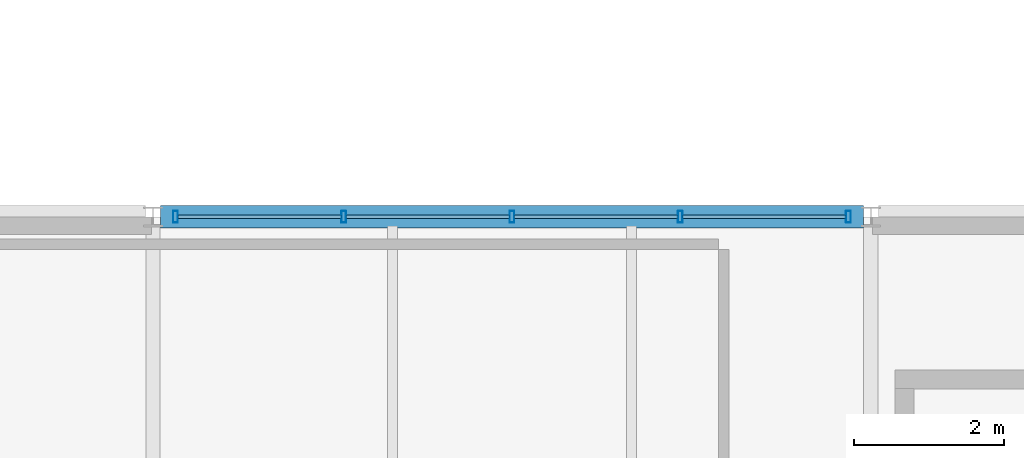
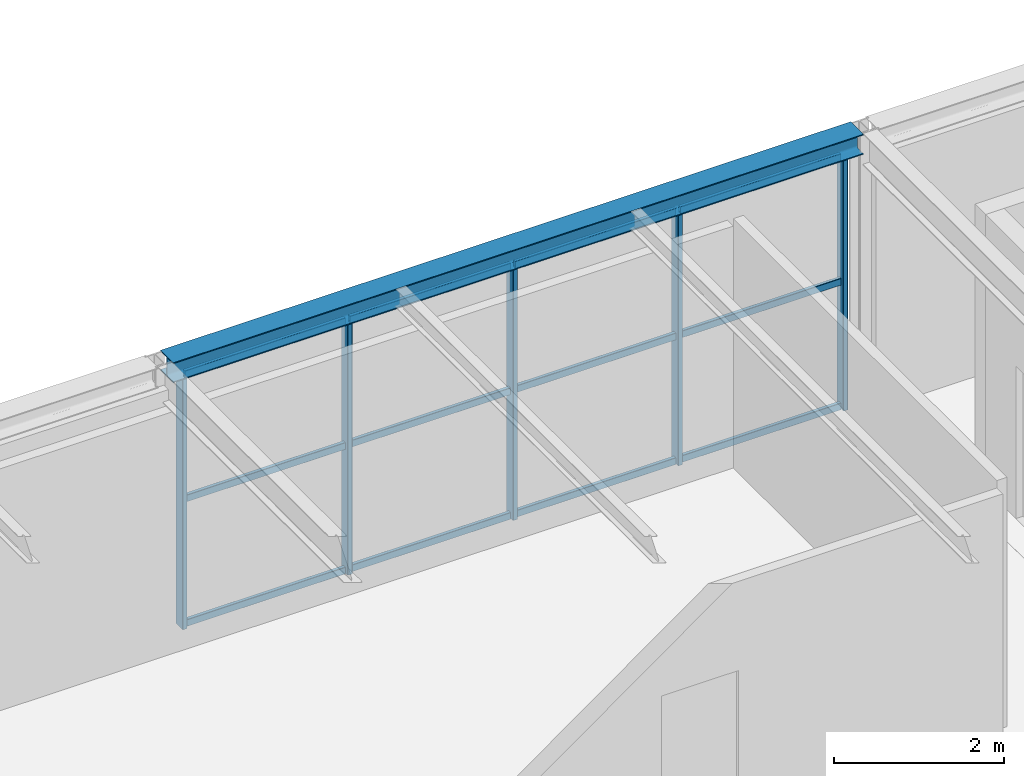
# One storey, part 25 of 39: 17 members, 1 beam, 1 element without a shape of its own.
"""IFC4 building model written with IfcOpenShell, lengths in metres."""

from ifc_helpers import new_model, si_unit, direction, frame, origin, origin_2d, place, context, subcontext, project, spatial, hollow_rectangle, i_section, extrude, material, material_profile, profile_set, type_object, element, aggregate, save


model = new_model("IFC4")

# Units and contexts
model_context = context("Model", 3, precision=1e-05, world=origin(), true_north=direction((0.0, 1.0)))
body_context = subcontext(model_context, "Body", "Model", "MODEL_VIEW")
ifc_project = project(units=[si_unit("LENGTHUNIT", "METRE"), si_unit("AREAUNIT", "SQUARE_METRE"), si_unit("VOLUMEUNIT", "CUBIC_METRE"), si_unit("PLANEANGLEUNIT", "RADIAN"), si_unit("MASSUNIT", "GRAM", prefix="KILO")], contexts=[model_context])

# Site, building, storey
site_placement = place(None, origin())
site = spatial("IfcSite", under=ifc_project, at=site_placement, CompositionType="ELEMENT")
building_placement = place(site_placement, origin())
building = spatial("IfcBuilding", under=site, at=building_placement, Name="Coralgate Yard Interchange", CompositionType="ELEMENT")
storey_placement = place(building_placement, frame((0.0, 0.0, 18.89990234375)))
storey = spatial("IfcBuildingStorey", under=building, at=storey_placement, Name="L04", CompositionType="ELEMENT", Elevation=18.89990234375)

# Beam
ifc_material_1 = material(Name="Structural steel S355J2", Category="steel")
ifc_material_profile_1 = material_profile(ifc_material_1, i_section(OverallWidth=0.300048828125, OverallDepth=0.2900390625, WebThickness=0.008544921875, FlangeThickness=0.013916015625, FilletRadius=0.027099609375, at=origin_2d()), Name="HEA 300")
ifc_profile_set_1 = profile_set([ifc_material_profile_1], Name="Structural steel S355J2")
beam_type = type_object("IfcBeamType", Name="BM-SP-2", PredefinedType="SPANDREL", material=ifc_profile_set_1)
beam_placement = place(storey_placement, frame((38.49951171875, 19.199951171875, 3.80517578125), z_axis=(1.0, 0.0, 0.0), x_axis=(0.0, 1.0, 0.0)))
element("IfcBeam", 1, at=beam_placement, inside=storey, type_object=beam_type, Name="L04 primary grid beam Y2 X4-5", PredefinedType="SPANDREL", context=body_context, shape_type="SweptSolid", body=[
    extrude(i_section(OverallWidth=0.300048828125, OverallDepth=0.2900390625, WebThickness=0.008544921875, FlangeThickness=0.013916015625, FilletRadius=0.027099609375, at=origin_2d()), origin(), (0.0, 0.0, 1.0), 9.401123046875),
])

# Curtain wall, members
ifc_material_2 = material(Name="Anodised coastal aluminium and solar-control low-E glass", Category="aluminium")
curtain_wall_type = type_object("IfcCurtainWallType", Name="CW-CW-L04-A", PredefinedType="NOTDEFINED", material=ifc_material_2)
curtain_wall_placement = place(storey_placement, origin())
curtain_wall = element("IfcCurtainWall", 2, at=curtain_wall_placement, inside=storey, type_object=curtain_wall_type, Name="L04 unitised curtain wall CW-L04-N-04-01", PredefinedType="NOTDEFINED")
ifc_material_3 = material(Name="Anodised coastal aluminium 6063-T6", Category="aluminium")
ifc_material_profile_2 = material_profile(ifc_material_3, hollow_rectangle(XDim=0.06494140625, YDim=0.159912109375, WallThickness=0.00390625, InnerFilletRadius=0.00390625, OuterFilletRadius=0.008056640625, at=origin_2d()), Name="ALU 65x160x4")
ifc_profile_set_2 = profile_set([ifc_material_profile_2], Name="Anodised coastal aluminium 6063-T6")
member_type_1 = type_object("IfcMemberType", Name="MB-MUL-160", PredefinedType="MULLION", material=ifc_profile_set_2)
member_1_placement = place(storey_placement, frame((38.699951171875, 19.199951171875, 0.0), z_axis=(0.0, 0.0, 1.0), x_axis=(1.0, 0.0, 0.0)))
member_1 = element("IfcMember", 3, at=member_1_placement, type_object=member_type_1, Name="CW-L04-N-04-01 vertical mullion 1", PredefinedType="MULLION", context=body_context, shape_type="SweptSolid", body=[
    extrude(hollow_rectangle(XDim=0.06494140625, YDim=0.159912109375, WallThickness=0.00390625, InnerFilletRadius=0.00390625, OuterFilletRadius=0.008056640625, at=origin_2d()), origin(), (0.0, 0.0, 1.0), 3.66015625),
])
member_2_placement = place(storey_placement, frame((40.949951171875, 19.199951171875, 0.0), z_axis=(0.0, 0.0, 1.0), x_axis=(1.0, 0.0, 0.0)))
member_2 = element("IfcMember", 4, at=member_2_placement, type_object=member_type_1, Name="CW-L04-N-04-01 vertical mullion 2", PredefinedType="MULLION", context=body_context, shape_type="SweptSolid", body=[
    extrude(hollow_rectangle(XDim=0.06494140625, YDim=0.159912109375, WallThickness=0.00390625, InnerFilletRadius=0.00390625, OuterFilletRadius=0.008056640625, at=origin_2d()), origin(), (0.0, 0.0, 1.0), 3.66015625),
])
member_3_placement = place(storey_placement, frame((43.199951171875, 19.199951171875, 0.0), z_axis=(0.0, 0.0, 1.0), x_axis=(1.0, 0.0, 0.0)))
member_3 = element("IfcMember", 5, at=member_3_placement, type_object=member_type_1, Name="CW-L04-N-04-01 vertical mullion 3", PredefinedType="MULLION", context=body_context, shape_type="SweptSolid", body=[
    extrude(hollow_rectangle(XDim=0.06494140625, YDim=0.159912109375, WallThickness=0.00390625, InnerFilletRadius=0.00390625, OuterFilletRadius=0.008056640625, at=origin_2d()), origin(), (0.0, 0.0, 1.0), 3.66015625),
])
member_4_placement = place(storey_placement, frame((45.449951171875, 19.199951171875, 0.0), z_axis=(0.0, 0.0, 1.0), x_axis=(1.0, 0.0, 0.0)))
member_4 = element("IfcMember", 6, at=member_4_placement, type_object=member_type_1, Name="CW-L04-N-04-01 vertical mullion 4", PredefinedType="MULLION", context=body_context, shape_type="SweptSolid", body=[
    extrude(hollow_rectangle(XDim=0.06494140625, YDim=0.159912109375, WallThickness=0.00390625, InnerFilletRadius=0.00390625, OuterFilletRadius=0.008056640625, at=origin_2d()), origin(), (0.0, 0.0, 1.0), 3.66015625),
])
member_5_placement = place(storey_placement, frame((47.699951171875, 19.199951171875, 0.0), z_axis=(0.0, 0.0, 1.0), x_axis=(1.0, 0.0, 0.0)))
member_5 = element("IfcMember", 7, at=member_5_placement, type_object=member_type_1, Name="CW-L04-N-04-01 vertical mullion 5", PredefinedType="MULLION", context=body_context, shape_type="SweptSolid", body=[
    extrude(hollow_rectangle(XDim=0.06494140625, YDim=0.159912109375, WallThickness=0.00390625, InnerFilletRadius=0.00390625, OuterFilletRadius=0.008056640625, at=origin_2d()), origin(), (0.0, 0.0, 1.0), 3.66015625),
])
ifc_material_profile_3 = material_profile(ifc_material_3, hollow_rectangle(XDim=0.050048828125, YDim=0.10009765625, WallThickness=0.0029296875, InnerFilletRadius=0.0029296875, OuterFilletRadius=0.006103515625, at=origin_2d()), Name="ALU 50x100x3")
ifc_profile_set_3 = profile_set([ifc_material_profile_3], Name="Anodised coastal aluminium 6063-T6")
member_type_2 = type_object("IfcMemberType", Name="MB-TRN-100", PredefinedType="USERDEFINED", material=ifc_profile_set_3)
member_6_placement = place(storey_placement, frame((38.72998046875, 19.199951171875, 0.03515625), z_axis=(1.0, 0.0, 0.0), x_axis=(0.0, 1.0, 0.0)))
member_6 = element("IfcMember", 8, at=member_6_placement, type_object=member_type_2, Name="CW-L04-N-04-01 horizontal transom 1-1", ObjectType="TRANSOM", PredefinedType="USERDEFINED", context=body_context, shape_type="SweptSolid", body=[
    extrude(hollow_rectangle(XDim=0.050048828125, YDim=0.10009765625, WallThickness=0.0029296875, InnerFilletRadius=0.0029296875, OuterFilletRadius=0.006103515625, at=origin_2d()), origin(), (0.0, 0.0, 1.0), 2.18994140625),
])
member_7_placement = place(storey_placement, frame((38.72998046875, 19.199951171875, 1.830078125), z_axis=(1.0, 0.0, 0.0), x_axis=(0.0, 1.0, 0.0)))
member_7 = element("IfcMember", 9, at=member_7_placement, type_object=member_type_2, Name="CW-L04-N-04-01 horizontal transom 1-2", ObjectType="TRANSOM", PredefinedType="USERDEFINED", context=body_context, shape_type="SweptSolid", body=[
    extrude(hollow_rectangle(XDim=0.050048828125, YDim=0.10009765625, WallThickness=0.0029296875, InnerFilletRadius=0.0029296875, OuterFilletRadius=0.006103515625, at=origin_2d()), origin(), (0.0, 0.0, 1.0), 2.18994140625),
])
member_8_placement = place(storey_placement, frame((38.72998046875, 19.199951171875, 3.625), z_axis=(1.0, 0.0, 0.0), x_axis=(0.0, 1.0, 0.0)))
member_8 = element("IfcMember", 10, at=member_8_placement, type_object=member_type_2, Name="CW-L04-N-04-01 horizontal transom 1-3", ObjectType="TRANSOM", PredefinedType="USERDEFINED", context=body_context, shape_type="SweptSolid", body=[
    extrude(hollow_rectangle(XDim=0.050048828125, YDim=0.10009765625, WallThickness=0.0029296875, InnerFilletRadius=0.0029296875, OuterFilletRadius=0.006103515625, at=origin_2d()), origin(), (0.0, 0.0, 1.0), 2.18994140625),
])
member_9_placement = place(storey_placement, frame((40.97998046875, 19.199951171875, 0.03515625), z_axis=(1.0, 0.0, 0.0), x_axis=(0.0, 1.0, 0.0)))
member_9 = element("IfcMember", 11, at=member_9_placement, type_object=member_type_2, Name="CW-L04-N-04-01 horizontal transom 2-1", ObjectType="TRANSOM", PredefinedType="USERDEFINED", context=body_context, shape_type="SweptSolid", body=[
    extrude(hollow_rectangle(XDim=0.050048828125, YDim=0.10009765625, WallThickness=0.0029296875, InnerFilletRadius=0.0029296875, OuterFilletRadius=0.006103515625, at=origin_2d()), origin(), (0.0, 0.0, 1.0), 2.18994140625),
])
member_10_placement = place(storey_placement, frame((40.97998046875, 19.199951171875, 1.830078125), z_axis=(1.0, 0.0, 0.0), x_axis=(0.0, 1.0, 0.0)))
member_10 = element("IfcMember", 12, at=member_10_placement, type_object=member_type_2, Name="CW-L04-N-04-01 horizontal transom 2-2", ObjectType="TRANSOM", PredefinedType="USERDEFINED", context=body_context, shape_type="SweptSolid", body=[
    extrude(hollow_rectangle(XDim=0.050048828125, YDim=0.10009765625, WallThickness=0.0029296875, InnerFilletRadius=0.0029296875, OuterFilletRadius=0.006103515625, at=origin_2d()), origin(), (0.0, 0.0, 1.0), 2.18994140625),
])
member_11_placement = place(storey_placement, frame((40.97998046875, 19.199951171875, 3.625), z_axis=(1.0, 0.0, 0.0), x_axis=(0.0, 1.0, 0.0)))
member_11 = element("IfcMember", 13, at=member_11_placement, type_object=member_type_2, Name="CW-L04-N-04-01 horizontal transom 2-3", ObjectType="TRANSOM", PredefinedType="USERDEFINED", context=body_context, shape_type="SweptSolid", body=[
    extrude(hollow_rectangle(XDim=0.050048828125, YDim=0.10009765625, WallThickness=0.0029296875, InnerFilletRadius=0.0029296875, OuterFilletRadius=0.006103515625, at=origin_2d()), origin(), (0.0, 0.0, 1.0), 2.18994140625),
])
member_12_placement = place(storey_placement, frame((43.22998046875, 19.199951171875, 0.03515625), z_axis=(1.0, 0.0, 0.0), x_axis=(0.0, 1.0, 0.0)))
member_12 = element("IfcMember", 14, at=member_12_placement, type_object=member_type_2, Name="CW-L04-N-04-01 horizontal transom 3-1", ObjectType="TRANSOM", PredefinedType="USERDEFINED", context=body_context, shape_type="SweptSolid", body=[
    extrude(hollow_rectangle(XDim=0.050048828125, YDim=0.10009765625, WallThickness=0.0029296875, InnerFilletRadius=0.0029296875, OuterFilletRadius=0.006103515625, at=origin_2d()), origin(), (0.0, 0.0, 1.0), 2.18994140625),
])
member_13_placement = place(storey_placement, frame((43.22998046875, 19.199951171875, 1.830078125), z_axis=(1.0, 0.0, 0.0), x_axis=(0.0, 1.0, 0.0)))
member_13 = element("IfcMember", 15, at=member_13_placement, type_object=member_type_2, Name="CW-L04-N-04-01 horizontal transom 3-2", ObjectType="TRANSOM", PredefinedType="USERDEFINED", context=body_context, shape_type="SweptSolid", body=[
    extrude(hollow_rectangle(XDim=0.050048828125, YDim=0.10009765625, WallThickness=0.0029296875, InnerFilletRadius=0.0029296875, OuterFilletRadius=0.006103515625, at=origin_2d()), origin(), (0.0, 0.0, 1.0), 2.18994140625),
])
member_14_placement = place(storey_placement, frame((43.22998046875, 19.199951171875, 3.625), z_axis=(1.0, 0.0, 0.0), x_axis=(0.0, 1.0, 0.0)))
member_14 = element("IfcMember", 16, at=member_14_placement, type_object=member_type_2, Name="CW-L04-N-04-01 horizontal transom 3-3", ObjectType="TRANSOM", PredefinedType="USERDEFINED", context=body_context, shape_type="SweptSolid", body=[
    extrude(hollow_rectangle(XDim=0.050048828125, YDim=0.10009765625, WallThickness=0.0029296875, InnerFilletRadius=0.0029296875, OuterFilletRadius=0.006103515625, at=origin_2d()), origin(), (0.0, 0.0, 1.0), 2.18994140625),
])
member_15_placement = place(storey_placement, frame((45.47998046875, 19.199951171875, 0.03515625), z_axis=(1.0, 0.0, 0.0), x_axis=(0.0, 1.0, 0.0)))
member_15 = element("IfcMember", 17, at=member_15_placement, type_object=member_type_2, Name="CW-L04-N-04-01 horizontal transom 4-1", ObjectType="TRANSOM", PredefinedType="USERDEFINED", context=body_context, shape_type="SweptSolid", body=[
    extrude(hollow_rectangle(XDim=0.050048828125, YDim=0.10009765625, WallThickness=0.0029296875, InnerFilletRadius=0.0029296875, OuterFilletRadius=0.006103515625, at=origin_2d()), origin(), (0.0, 0.0, 1.0), 2.18994140625),
])
member_16_placement = place(storey_placement, frame((45.47998046875, 19.199951171875, 1.830078125), z_axis=(1.0, 0.0, 0.0), x_axis=(0.0, 1.0, 0.0)))
member_16 = element("IfcMember", 18, at=member_16_placement, type_object=member_type_2, Name="CW-L04-N-04-01 horizontal transom 4-2", ObjectType="TRANSOM", PredefinedType="USERDEFINED", context=body_context, shape_type="SweptSolid", body=[
    extrude(hollow_rectangle(XDim=0.050048828125, YDim=0.10009765625, WallThickness=0.0029296875, InnerFilletRadius=0.0029296875, OuterFilletRadius=0.006103515625, at=origin_2d()), origin(), (0.0, 0.0, 1.0), 2.18994140625),
])
member_17_placement = place(storey_placement, frame((45.47998046875, 19.199951171875, 3.625), z_axis=(1.0, 0.0, 0.0), x_axis=(0.0, 1.0, 0.0)))
member_17 = element("IfcMember", 19, at=member_17_placement, type_object=member_type_2, Name="CW-L04-N-04-01 horizontal transom 4-3", ObjectType="TRANSOM", PredefinedType="USERDEFINED", context=body_context, shape_type="SweptSolid", body=[
    extrude(hollow_rectangle(XDim=0.050048828125, YDim=0.10009765625, WallThickness=0.0029296875, InnerFilletRadius=0.0029296875, OuterFilletRadius=0.006103515625, at=origin_2d()), origin(), (0.0, 0.0, 1.0), 2.18994140625),
])
aggregate(curtain_wall, [member_1, member_2, member_3, member_4, member_5, member_6, member_7, member_8, member_9, member_10, member_11, member_12, member_13, member_14, member_15, member_16, member_17])

save(model, "model.ifc")
